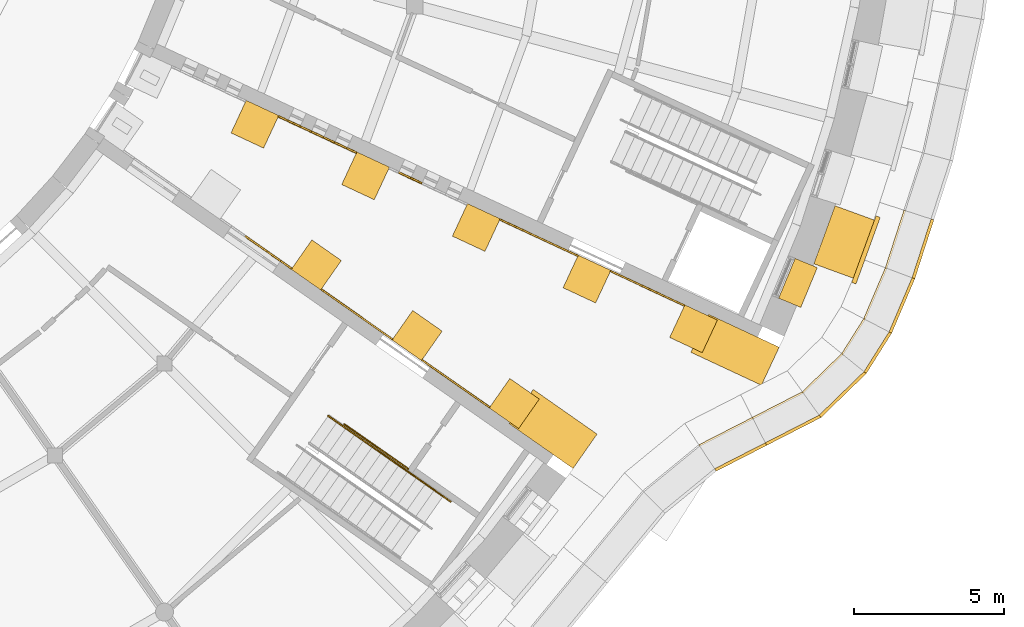
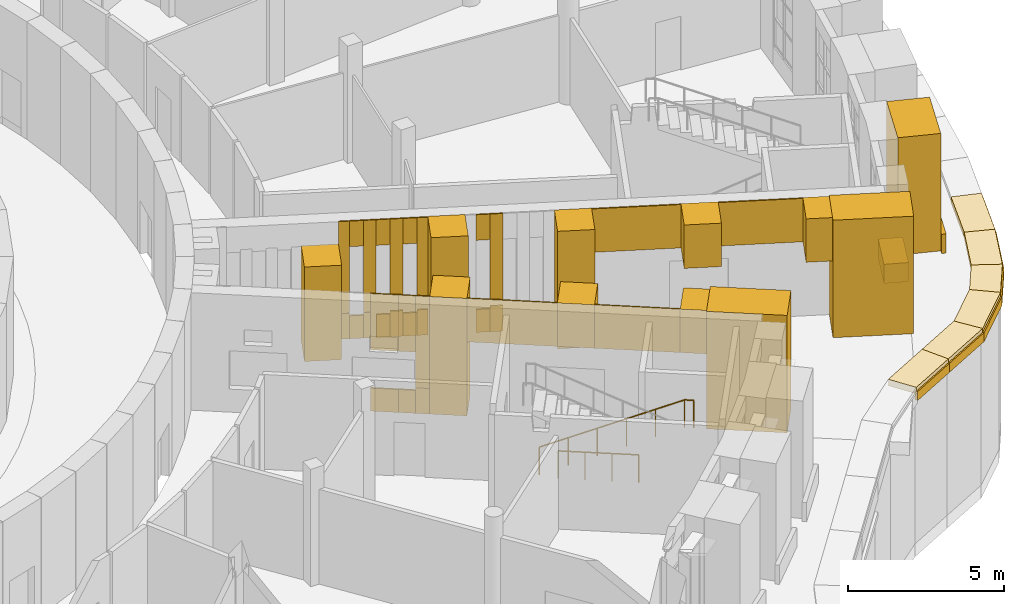
# One storey, part 72 of 85: 53 coverings, 2 railings.
"""IFC4 building model written with IfcOpenShell, lengths in metres."""

from ifc_helpers import new_model, si_unit, direction, frame, origin, origin_2d, place, context, subcontext, project, spatial, polyline, rectangle, circle, outline, extrude, material, layer, layer_set, type_object, element, save


model = new_model("IFC4")

# Units and contexts
model_context = context("Model", 3, precision=1e-05, world=origin(), true_north=direction((0.0, 1.0)))
body_context = subcontext(model_context, "Body", "Model", "MODEL_VIEW")
ifc_project = project(units=[si_unit("LENGTHUNIT", "METRE"), si_unit("AREAUNIT", "SQUARE_METRE"), si_unit("VOLUMEUNIT", "CUBIC_METRE"), si_unit("PLANEANGLEUNIT", "RADIAN"), si_unit("MASSUNIT", "GRAM", prefix="KILO")], contexts=[model_context])

# Site, building, storey
site_placement = place(None, origin())
site = spatial("IfcSite", under=ifc_project, at=site_placement, CompositionType="ELEMENT")
building_placement = place(site_placement, origin())
building = spatial("IfcBuilding", under=site, at=building_placement, Name="Volute Hill Aquarium", CompositionType="ELEMENT")
storey_placement = place(building_placement, origin())
storey = spatial("IfcBuildingStorey", under=building, at=storey_placement, Name="L01", CompositionType="ELEMENT", Elevation=0.0)

# Coverings
ifc_material_1 = material(Name="Blue limestone", Category="masonry")
covering_type_1 = type_object("IfcCoveringType", Name="Bluestone plinth block 275x750", PredefinedType="CLADDING", material=ifc_material_1)
covering_1_placement = place(storey_placement, frame((40.511962890625, -16.67236328125, 0.0), z_axis=(0.0, 0.0, 1.0), x_axis=(0.382695820162, 0.923874401221, 0.0)))
element("IfcCovering", 1, at=covering_1_placement, inside=storey, type_object=covering_type_1, Name="Bluestone plinth BPN S4 L01 1", PredefinedType="CLADDING", context=body_context, shape_type="SweptSolid", body=[
    extrude(rectangle(XDim=1.437255859375, YDim=0.800048828125, at=origin_2d()), origin(), (0.0, 0.0, 1.0), 0.75),
])
ifc_material_2 = material(Name="Blue limestone", Category="masonry")
ifc_layer_1 = layer(ifc_material_2, 0.14990234375)
ifc_layer_set_1 = layer_set([ifc_layer_1], Name="Bluestone plinth plate 150x750")
covering_type_2 = type_object("IfcCoveringType", Name="Bluestone plinth plate 150x750", PredefinedType="CLADDING", material=ifc_layer_set_1)
covering_2_placement = place(storey_placement, frame((42.781494140625, -15.5712890625, 0.0), z_axis=(0.0, 0.0, 1.0), x_axis=(0.342020143326, 0.939692620786, 0.0)))
element("IfcCovering", 2, at=covering_2_placement, inside=storey, type_object=covering_type_2, Name="Bluestone plinth BP S4 L01 1", PredefinedType="CLADDING", context=body_context, shape_type="SweptSolid", body=[
    extrude(rectangle(XDim=2.362060546875, YDim=0.14990234375, at=origin_2d()), origin(), (0.0, 0.0, 1.0), 0.75),
])
ifc_material_3 = material(Name="Blue limestone", Category="masonry")
ifc_layer_2 = layer(ifc_material_3, 0.06005859375)
ifc_layer_set_2 = layer_set([ifc_layer_2], Name="End wall plinth blue limestone 60")
covering_type_3 = type_object("IfcCoveringType", Name="End wall plinth blue limestone 60", PredefinedType="CLADDING", material=ifc_layer_set_2)
covering_3_placement = place(storey_placement, frame((22.04052734375, -15.127685546875, 0.0), z_axis=(-0.573589807488, -0.819142681555, 0.0), x_axis=(0.819142681555, -0.573589807488, 0.0)))
element("IfcCovering", 3, at=covering_3_placement, inside=storey, type_object=covering_type_3, Name="End wall plinth EWL S3B L01 2", PredefinedType="CLADDING", context=body_context, shape_type="SweptSolid", body=[
    extrude(outline(polyline([(0.0, 0.0), (0.8997950704701132, 0.0), (0.8997950704701132, 0.89990234375), (0.0, 0.89990234375), (0.0, 0.0)])), origin(), (0.0, 0.0, -1.0), 0.06005859375),
])
covering_4_placement = place(storey_placement, frame((22.777587890625, -15.643798828125, 0.0), z_axis=(-0.573580694562, -0.819149062641, 0.0), x_axis=(0.819149062641, -0.573580694562, 0.0)))
element("IfcCovering", 4, at=covering_4_placement, inside=storey, type_object=covering_type_3, Name="End wall plinth EWL S3B L01 2", PredefinedType="CLADDING", context=body_context, shape_type="SweptSolid", body=[
    extrude(outline(polyline([(0.0, 0.0), (0.5537615825225353, 0.0), (0.5537615825225353, 0.89990234375), (0.0, 0.89990234375), (0.0, 0.0)])), origin(), (0.0, 0.0, -1.0), 0.06005859375),
])
covering_5_placement = place(storey_placement, frame((23.23095703125, -15.96142578125, 0.0), z_axis=(-0.573826293727, -0.81897703547, 0.0), x_axis=(0.81897703547, -0.573826293727, 0.0)))
element("IfcCovering", 5, at=covering_5_placement, inside=storey, type_object=covering_type_3, Name="End wall plinth EWL S3B L01 2", PredefinedType="CLADDING", context=body_context, shape_type="SweptSolid", body=[
    extrude(outline(polyline([(0.0, 0.0), (0.4501375835749871, 0.0), (0.4501375835749871, 1.0), (0.0, 1.0), (0.0, 0.0)])), origin(), (0.0, 0.0, -1.0), 0.06005859375),
])
covering_6_placement = place(storey_placement, frame((23.157470703125, -11.140380859375, 0.0), z_axis=(-0.422503748493, -0.906361176634, 0.0), x_axis=(0.906361176634, -0.422503748493, 0.0)))
element("IfcCovering", 6, at=covering_6_placement, inside=storey, type_object=covering_type_3, Name="End wall plinth EWL S4A L01 2", PredefinedType="CLADDING", context=body_context, shape_type="SweptSolid", body=[
    extrude(outline(polyline([(0.0, 0.0), (0.35017255888939314, 0.0), (0.35017255888939314, 1.0), (0.0, 1.0), (0.0, 0.0)])), origin(), (0.0, 0.0, -1.0), 0.06005859375),
])
covering_7_placement = place(storey_placement, frame((23.474853515625, -11.288330078125, 0.0), z_axis=(-0.422736919649, -0.906252446488, 0.0), x_axis=(0.906252446488, -0.422736919649, 0.0)))
element("IfcCovering", 7, at=covering_7_placement, inside=storey, type_object=covering_type_3, Name="End wall plinth EWL S4A L01 2", PredefinedType="CLADDING", context=body_context, shape_type="SweptSolid", body=[
    extrude(outline(polyline([(0.0, 0.0), (0.4498910268656508, 0.0), (0.4498910268656508, 0.89990234375), (0.0, 0.89990234375), (0.0, 0.0)])), origin(), (0.0, 0.0, -1.0), 0.06005859375),
])
covering_8_placement = place(storey_placement, frame((23.882568359375, -11.478515625, 0.0), z_axis=(-0.422691273525, -0.906273737502, 0.0), x_axis=(0.906273737502, -0.422691273525, 0.0)))
element("IfcCovering", 8, at=covering_8_placement, inside=storey, type_object=covering_type_3, Name="End wall plinth EWL S4A L01 2", PredefinedType="CLADDING", context=body_context, shape_type="SweptSolid", body=[
    extrude(outline(polyline([(0.0, 0.0), (0.4129740967189735, 0.0), (0.4129740967189735, 1.0), (0.0, 1.0), (0.0, 0.0)])), origin(), (0.0, 0.0, -1.0), 0.06005859375),
])
covering_9_placement = place(storey_placement, frame((24.2568359375, -11.653076171875, 0.0), z_axis=(-0.422736919649, -0.906252446488, 0.0), x_axis=(0.906252446488, -0.422736919649, 0.0)))
element("IfcCovering", 9, at=covering_9_placement, inside=storey, type_object=covering_type_3, Name="End wall plinth EWL S4A L01 2", PredefinedType="CLADDING", context=body_context, shape_type="SweptSolid", body=[
    extrude(outline(polyline([(0.0, 0.0), (0.4498910268656508, 0.0), (0.4498910268656508, 0.89990234375), (0.0, 0.89990234375), (0.0, 0.0)])), origin(), (0.0, 0.0, -1.0), 0.06005859375),
])
covering_10_placement = place(storey_placement, frame((24.66455078125, -11.84326171875, 0.0), z_axis=(-0.42220553922, -0.906500128324, 0.0), x_axis=(0.906500128324, -0.42220553922, 0.0)))
element("IfcCovering", 10, at=covering_10_placement, inside=storey, type_object=covering_type_3, Name="End wall plinth EWL S4A L01 2", PredefinedType="CLADDING", context=body_context, shape_type="SweptSolid", body=[
    extrude(outline(polyline([(0.0, 0.0), (0.4128709598936065, 0.0), (0.4128709598936065, 1.0), (0.0, 1.0), (0.0, 0.0)])), origin(), (0.0, 0.0, -1.0), 0.06005859375),
])
covering_11_placement = place(storey_placement, frame((25.038818359375, -12.017578125, 0.0), z_axis=(-0.422736919649, -0.906252446488, 0.0), x_axis=(0.906252446488, -0.422736919649, 0.0)))
element("IfcCovering", 11, at=covering_11_placement, inside=storey, type_object=covering_type_3, Name="End wall plinth EWL S4A L01 2", PredefinedType="CLADDING", context=body_context, shape_type="SweptSolid", body=[
    extrude(outline(polyline([(0.0, 0.0), (0.4498910268656508, 0.0), (0.4498910268656508, 0.89990234375), (0.0, 0.89990234375), (0.0, 0.0)])), origin(), (0.0, 0.0, -1.0), 0.06005859375),
])
covering_12_placement = place(storey_placement, frame((25.446533203125, -12.207763671875, 0.0), z_axis=(-0.423076239386, -0.906094087646, 0.0), x_axis=(0.906094087646, -0.423076239386, 0.0)))
element("IfcCovering", 12, at=covering_12_placement, inside=storey, type_object=covering_type_3, Name="End wall plinth EWL S4A L01 2", PredefinedType="CLADDING", context=body_context, shape_type="SweptSolid", body=[
    extrude(outline(polyline([(0.0, 0.0), (0.3502757791130555, 0.0), (0.3502757791130555, 1.0), (0.0, 1.0), (0.0, 0.0)])), origin(), (0.0, 0.0, -1.0), 0.06005859375),
])
covering_13_placement = place(storey_placement, frame((27.1689453125, -13.010986328125, 0.0), z_axis=(-0.422736919649, -0.906252446488, 0.0), x_axis=(0.906252446488, -0.422736919649, 0.0)))
element("IfcCovering", 13, at=covering_13_placement, inside=storey, type_object=covering_type_3, Name="End wall plinth EWL S4A L01 3", PredefinedType="CLADDING", context=body_context, shape_type="SweptSolid", body=[
    extrude(outline(polyline([(0.0, 0.0), (0.4498910268656508, 0.0), (0.4498910268656508, 0.89990234375), (0.0, 0.89990234375), (0.0, 0.0)])), origin(), (0.0, 0.0, -1.0), 0.06005859375),
])
covering_14_placement = place(storey_placement, frame((27.57666015625, -13.201171875, 0.0), z_axis=(-0.422691273525, -0.906273737502, 0.0), x_axis=(0.906273737502, -0.422691273525, 0.0)))
element("IfcCovering", 14, at=covering_14_placement, inside=storey, type_object=covering_type_3, Name="End wall plinth EWL S4A L01 3", PredefinedType="CLADDING", context=body_context, shape_type="SweptSolid", body=[
    extrude(outline(polyline([(0.0, 0.0), (0.4129740967189735, 0.0), (0.4129740967189735, 1.0), (0.0, 1.0), (0.0, 0.0)])), origin(), (0.0, 0.0, -1.0), 0.06005859375),
])
ifc_material_4 = material(Name="Precast concrete C40/50", Category="concrete")
covering_type_4 = type_object("IfcCoveringType", Name="End wall precast fin C40/50 1200x1200", PredefinedType="CLADDING", material=ifc_material_4)
covering_15_placement = place(storey_placement, frame((24.435302734375, -16.072265625, 0.0), z_axis=(0.0, 0.0, 1.0), x_axis=(0.81915068408, -0.573578378926, 0.0)))
element("IfcCovering", 15, at=covering_15_placement, inside=storey, type_object=covering_type_4, Name="End wall fin EWF S3B L01 3", PredefinedType="CLADDING", context=body_context, shape_type="SweptSolid", body=[
    extrude(rectangle(XDim=1.199951171875, YDim=1.199951171875, at=origin_2d()), origin(), (0.0, 0.0, 1.0), 4.60009765625),
])
for number, where, z_axis, x_axis, name in (
    (16, (27.800048828125, -18.42822265625, 2.89990234375), (0.0, 0.0, 1.0), (0.81915068408, -0.573578378926, 0.0), "End wall fin EWF S3B L01 4"),
    (17, (31.041748046875, -20.697998046875, 2.89990234375), (0.0, 0.0, 1.0), (0.81915068408, -0.573578378926, 0.0), "End wall fin EWF S3B L01 5"),
):
    element("IfcCovering", number, at=place(storey_placement, frame(where, z_axis=z_axis, x_axis=x_axis)), inside=storey, type_object=covering_type_4, Name=name, PredefinedType="CLADDING", context=body_context, shape_type="SweptSolid", body=[
        extrude(rectangle(XDim=1.199951171875, YDim=1.199951171875, at=origin_2d()), origin(), (0.0, 0.0, 1.0), 1.699951171875),
    ])
covering_16_placement = place(storey_placement, frame((22.385498046875, -11.376220703125, 0.0), z_axis=(0.0, 0.0, 1.0), x_axis=(0.906306960471, -0.422620034311, 0.0)))
element("IfcCovering", 18, at=covering_16_placement, inside=storey, type_object=covering_type_4, Name="End wall fin EWF S4A L01 2", PredefinedType="CLADDING", context=body_context, shape_type="SweptSolid", body=[
    extrude(rectangle(XDim=1.199951171875, YDim=1.199951171875, at=origin_2d()), origin(), (0.0, 0.0, 1.0), 3.699951171875),
])
for number, where, z_axis, x_axis, name in (
    (19, (26.07958984375, -13.098876953125, 0.0), (0.0, 0.0, 1.0), (0.906306960471, -0.422620034311, 0.0), "End wall fin EWF S4A L01 3"),
    (20, (29.773681640625, -14.821533203125, 0.0), (0.0, 0.0, 1.0), (0.906306960471, -0.422620034311, 0.0), "End wall fin EWF S4A L01 4"),
):
    element("IfcCovering", number, at=place(storey_placement, frame(where, z_axis=z_axis, x_axis=x_axis)), inside=storey, type_object=covering_type_4, Name=name, PredefinedType="CLADDING", context=body_context, shape_type="SweptSolid", body=[
        extrude(rectangle(XDim=1.199951171875, YDim=1.199951171875, at=origin_2d()), origin(), (0.0, 0.0, 1.0), 4.60009765625),
    ])
for number, where, z_axis, x_axis, name in (
    (21, (33.4677734375, -16.544189453125, 2.89990234375), (0.0, 0.0, 1.0), (0.906306960471, -0.422620034311, 0.0), "End wall fin EWF S4A L01 5"),
    (22, (37.02587890625, -18.203369140625, 2.89990234375), (0.0, 0.0, 1.0), (0.906306960471, -0.422620034311, 0.0), "End wall fin EWF S4A L01 6"),
):
    element("IfcCovering", number, at=place(storey_placement, frame(where, z_axis=z_axis, x_axis=x_axis)), inside=storey, type_object=covering_type_4, Name=name, PredefinedType="CLADDING", context=body_context, shape_type="SweptSolid", body=[
        extrude(rectangle(XDim=1.199951171875, YDim=1.199951171875, at=origin_2d()), origin(), (0.0, 0.0, 1.0), 1.699951171875),
    ])
ifc_material_5 = material(Name="Precast concrete C40/50", Category="concrete")
ifc_layer_3 = layer(ifc_material_5, 0.050048828125)
ifc_layer_set_3 = layer_set([ifc_layer_3], Name="End wall precast infill panel C40/50 50")
covering_type_5 = type_object("IfcCoveringType", Name="End wall precast infill panel C40/50 50", PredefinedType="CLADDING", material=ifc_layer_set_3)
covering_17_placement = place(storey_placement, frame((22.040283203125, -15.127685546875, 2.39990234375), z_axis=(-0.573462344363, -0.819231920519, 0.0), x_axis=(0.819231920519, -0.573462344363, 0.0)))
element("IfcCovering", 23, at=covering_17_placement, inside=storey, type_object=covering_type_5, Name="End wall panel EWP S3B L01 2", PredefinedType="CLADDING", context=body_context, shape_type="SweptSolid", body=[
    extrude(outline(polyline([(0.0, 0.0), (0.8999950673709908, 0.0), (0.8999950673709908, 2.2001953125), (0.0, 2.2001953125), (0.0, 0.0)])), origin(), (0.0, 0.0, -1.0), 0.050048828125),
])
covering_18_placement = place(storey_placement, frame((22.777587890625, -15.643798828125, 2.39990234375), z_axis=(-0.573787896152, -0.819003937859, 0.0), x_axis=(0.819003937859, -0.573787896152, 0.0)))
element("IfcCovering", 24, at=covering_18_placement, inside=storey, type_object=covering_type_5, Name="End wall panel EWP S3B L01 2", PredefinedType="CLADDING", context=body_context, shape_type="SweptSolid", body=[
    extrude(outline(polyline([(0.0, 0.0), (0.5535616126706421, 0.0), (0.5535616126706421, 2.2001953125), (0.0, 2.2001953125), (0.0, 0.0)])), origin(), (0.0, 0.0, -1.0), 0.050048828125),
])
covering_19_placement = place(storey_placement, frame((23.23095703125, -15.96142578125, 1.0), z_axis=(-0.573462344363, -0.819231920519, 0.0), x_axis=(0.819231920519, -0.573462344363, 0.0)))
element("IfcCovering", 25, at=covering_19_placement, inside=storey, type_object=covering_type_5, Name="End wall panel EWP S3B L01 2", PredefinedType="CLADDING", context=body_context, shape_type="SweptSolid", body=[
    extrude(outline(polyline([(0.0, 0.0), (0.4499975336854954, 0.0), (0.4499975336854954, 3.60009765625), (0.0, 3.60009765625), (0.0, 0.0)])), origin(), (0.0, 0.0, -1.0), 0.050048828125),
])
covering_20_placement = place(storey_placement, frame((24.582763671875, -16.907958984375, 2.89990234375), z_axis=(-0.573546879551, -0.819172739388, 0.0), x_axis=(0.819172739388, -0.573546879551, 0.0)))
element("IfcCovering", 26, at=covering_20_placement, inside=storey, type_object=covering_type_5, Name="End wall panel EWP S3B L01 3", PredefinedType="CLADDING", context=body_context, shape_type="SweptSolid", body=[
    extrude(outline(polyline([(0.0, 0.0), (2.9073132959151495, 0.0), (2.9073132959151495, 1.7001953125), (0.0, 1.7001953125), (0.0, 0.0)])), origin(), (0.0, 0.0, -1.0), 0.050048828125),
])
covering_21_placement = place(storey_placement, frame((27.947265625, -19.263916015625, 2.89990234375), z_axis=(-0.573557416232, -0.819165361991, 0.0), x_axis=(0.819165361991, -0.573557416232, 0.0)))
element("IfcCovering", 27, at=covering_21_placement, inside=storey, type_object=covering_type_5, Name="End wall panel EWP S3B L01 4", PredefinedType="CLADDING", context=body_context, shape_type="SweptSolid", body=[
    extrude(outline(polyline([(0.0, 0.0), (2.7574274588594703, 0.0), (2.7574274588594703, 1.7001953125), (0.0, 1.7001953125), (0.0, 0.0)])), origin(), (0.0, 0.0, -1.0), 0.050048828125),
])
covering_22_placement = place(storey_placement, frame((23.16162109375, -11.131591796875, 1.0), z_axis=(-0.422503748493, -0.906361176634, 0.0), x_axis=(0.906361176634, -0.422503748493, 0.0)))
element("IfcCovering", 28, at=covering_22_placement, inside=storey, type_object=covering_type_5, Name="End wall panel EWP S4A L01 2", PredefinedType="CLADDING", context=body_context, shape_type="SweptSolid", body=[
    extrude(outline(polyline([(0.0, 0.0), (0.35017255888939314, 0.0), (0.35017255888939314, 3.60009765625), (0.0, 3.60009765625), (0.0, 0.0)])), origin(), (0.0, 0.0, -1.0), 0.050048828125),
])
covering_23_placement = place(storey_placement, frame((23.47900390625, -11.279541015625, 3.60009765625), z_axis=(-0.422529111883, -0.90634935296, 0.0), x_axis=(0.90634935296, -0.422529111883, 0.0)))
element("IfcCovering", 29, at=covering_23_placement, inside=storey, type_object=covering_type_5, Name="End wall panel EWP S4A L01 2", PredefinedType="CLADDING", context=body_context, shape_type="SweptSolid", body=[
    extrude(outline(polyline([(0.0, 0.0), (0.4501122917366558, 0.0), (0.4501122917366558, 1.0), (0.0, 1.0), (0.0, 0.0)])), origin(), (0.0, 0.0, -1.0), 0.050048828125),
])
covering_24_placement = place(storey_placement, frame((23.886962890625, -11.4697265625, 1.0), z_axis=(-0.422431964594, -0.906394635515, 0.0), x_axis=(0.906394635515, -0.422431964594, 0.0)))
element("IfcCovering", 30, at=covering_24_placement, inside=storey, type_object=covering_type_5, Name="End wall panel EWP S4A L01 2", PredefinedType="CLADDING", context=body_context, shape_type="SweptSolid", body=[
    extrude(outline(polyline([(0.0, 0.0), (0.4126496592598029, 0.0), (0.4126496592598029, 3.60009765625), (0.0, 3.60009765625), (0.0, 0.0)])), origin(), (0.0, 0.0, -1.0), 0.050048828125),
])
covering_25_placement = place(storey_placement, frame((24.260986328125, -11.64404296875, 3.60009765625), z_axis=(-0.422529111883, -0.90634935296, 0.0), x_axis=(0.90634935296, -0.422529111883, 0.0)))
element("IfcCovering", 31, at=covering_25_placement, inside=storey, type_object=covering_type_5, Name="End wall panel EWP S4A L01 2", PredefinedType="CLADDING", context=body_context, shape_type="SweptSolid", body=[
    extrude(outline(polyline([(0.0, 0.0), (0.4501122917366558, 0.0), (0.4501122917366558, 1.0), (0.0, 1.0), (0.0, 0.0)])), origin(), (0.0, 0.0, -1.0), 0.050048828125),
])
covering_26_placement = place(storey_placement, frame((24.6689453125, -11.834228515625, 1.0), z_axis=(-0.422917846092, -0.906168028269, 0.0), x_axis=(0.906168028269, -0.422917846092, 0.0)))
element("IfcCovering", 32, at=covering_26_placement, inside=storey, type_object=covering_type_5, Name="End wall panel EWP S4A L01 2", PredefinedType="CLADDING", context=body_context, shape_type="SweptSolid", body=[
    extrude(outline(polyline([(0.0, 0.0), (0.41275285138278023, 0.0), (0.41275285138278023, 3.60009765625), (0.0, 3.60009765625), (0.0, 0.0)])), origin(), (0.0, 0.0, -1.0), 0.050048828125),
])
covering_27_placement = place(storey_placement, frame((25.04296875, -12.0087890625, 3.60009765625), z_axis=(-0.422529111883, -0.90634935296, 0.0), x_axis=(0.90634935296, -0.422529111883, 0.0)))
element("IfcCovering", 33, at=covering_27_placement, inside=storey, type_object=covering_type_5, Name="End wall panel EWP S4A L01 2", PredefinedType="CLADDING", context=body_context, shape_type="SweptSolid", body=[
    extrude(outline(polyline([(0.0, 0.0), (0.4501122917366558, 0.0), (0.4501122917366558, 1.0), (0.0, 1.0), (0.0, 0.0)])), origin(), (0.0, 0.0, -1.0), 0.050048828125),
])
covering_28_placement = place(storey_placement, frame((25.450927734375, -12.198974609375, 1.0), z_axis=(-0.422503748493, -0.906361176634, 0.0), x_axis=(0.906361176634, -0.422503748493, 0.0)))
element("IfcCovering", 34, at=covering_28_placement, inside=storey, type_object=covering_type_5, Name="End wall panel EWP S4A L01 2", PredefinedType="CLADDING", context=body_context, shape_type="SweptSolid", body=[
    extrude(outline(polyline([(0.0, 0.0), (0.35017255888939314, 0.0), (0.35017255888939314, 3.60009765625), (0.0, 3.60009765625), (0.0, 0.0)])), origin(), (0.0, 0.0, -1.0), 0.050048828125),
])
covering_29_placement = place(storey_placement, frame((27.17333984375, -13.002197265625, 3.60009765625), z_axis=(-0.422736919649, -0.906252446488, 0.0), x_axis=(0.906252446488, -0.422736919649, 0.0)))
element("IfcCovering", 35, at=covering_29_placement, inside=storey, type_object=covering_type_5, Name="End wall panel EWP S4A L01 3", PredefinedType="CLADDING", context=body_context, shape_type="SweptSolid", body=[
    extrude(outline(polyline([(0.0, 0.0), (0.4498910268656508, 0.0), (0.4498910268656508, 1.0), (0.0, 1.0), (0.0, 0.0)])), origin(), (0.0, 0.0, -1.0), 0.050048828125),
])
covering_30_placement = place(storey_placement, frame((27.5810546875, -13.1923828125, 1.0), z_axis=(-0.422431964594, -0.906394635515, 0.0), x_axis=(0.906394635515, -0.422431964594, 0.0)))
element("IfcCovering", 36, at=covering_30_placement, inside=storey, type_object=covering_type_5, Name="End wall panel EWP S4A L01 3", PredefinedType="CLADDING", context=body_context, shape_type="SweptSolid", body=[
    extrude(outline(polyline([(0.0, 0.0), (0.4126496592598029, 0.0), (0.4126496592598029, 3.60009765625), (0.0, 3.60009765625), (0.0, 0.0)])), origin(), (0.0, 0.0, -1.0), 0.050048828125),
])
covering_31_placement = place(storey_placement, frame((30.550048828125, -14.57666015625, 2.89990234375), z_axis=(-0.42266703184, -0.906285043568, 0.0), x_axis=(0.906285043568, -0.42266703184, 0.0)))
element("IfcCovering", 37, at=covering_31_placement, inside=storey, type_object=covering_type_5, Name="End wall panel EWP S4A L01 4", PredefinedType="CLADDING", context=body_context, shape_type="SweptSolid", body=[
    extrude(outline(polyline([(0.0, 0.0), (2.875966376139245, 0.0), (2.875966376139245, 1.7001953125), (0.0, 1.7001953125), (0.0, 0.0)])), origin(), (0.0, 0.0, -1.0), 0.050048828125),
])
covering_32_placement = place(storey_placement, frame((34.244140625, -16.29931640625, 2.89990234375), z_axis=(-0.422650101756, -0.906292939113, 0.0), x_axis=(0.906292939113, -0.422650101756, 0.0)))
element("IfcCovering", 38, at=covering_32_placement, inside=storey, type_object=covering_type_5, Name="End wall panel EWP S4A L01 5", PredefinedType="CLADDING", context=body_context, shape_type="SweptSolid", body=[
    extrude(outline(polyline([(0.0, 0.0), (2.7258945510421317, 0.0), (2.7258945510421317, 1.7001953125000004), (0.0, 1.7001953125000004), (0.0, 0.0)])), origin(), (0.0, 0.0, -1.0), 0.050048828125),
])

# Railings
ifc_material_6 = material(Name="Stainless steel 1.4301", Category="steel")
railing_type = type_object("IfcRailingType", Name="Guard 1100 stainless", PredefinedType="GUARDRAIL", material=ifc_material_6)
railing_1_placement = place(storey_placement, frame((27.499267578125, -22.880859375, 0.0)))
element("IfcRailing", 39, at=railing_1_placement, inside=storey, type_object=railing_type, Name="gd/S3-B/L01/edge", PredefinedType="GUARDRAIL", context=body_context, shape_type="SweptSolid", body=[
    extrude(circle(Radius=0.02392578125, at=origin_2d()), frame((0.0, 0.0, 1.076171875), z_axis=(-0.819178980414, 0.573537965655, 0.0), x_axis=(-0.573537965655, -0.819178980414, 0.0)), (0.0, 0.0, 1.0), 2.60009765625),
    extrude(circle(Radius=0.02099609375, at=origin_2d()), origin(), (0.0, 0.0, 1.0), 1.052001953125),
    extrude(circle(Radius=0.02099609375, at=origin_2d()), frame((-0.7099609375, 0.4970703125, 0.0)), (0.0, 0.0, 1.0), 1.052001953125),
    extrude(circle(Radius=0.02099609375, at=origin_2d()), frame((-1.419921875, 0.994140625, 0.0)), (0.0, 0.0, 1.0), 1.052001953125),
    extrude(circle(Radius=0.02099609375, at=origin_2d()), frame((-2.1298828125, 1.4912109375, 0.0)), (0.0, 0.0, 1.0), 1.052001953125),
])
railing_2_placement = place(storey_placement, frame((24.83203125, -21.111083984375, 0.164306640625)))
element("IfcRailing", 40, at=railing_2_placement, inside=storey, type_object=railing_type, Name="gd/S3-B/L01/1", PredefinedType="GUARDRAIL", context=body_context, shape_type="SweptSolid", body=[
    extrude(circle(Radius=0.02392578125, at=origin_2d()), frame((0.0, 0.0, 1.076171875), z_axis=(0.745229941797, -0.521798586898, 0.415160894787), x_axis=(0.57356387087, 0.81916084259, 0.0)), (0.0, 0.0, 1.0), 5.144287109375),
    extrude(circle(Radius=0.02392578125, at=origin_2d()), frame((3.833740234375, -2.684326171875, 3.2119140625), z_axis=(0.819575896246, -0.572970636502, 0.0), x_axis=(0.572970636502, 0.819575896246, 0.0)), (0.0, 0.0, 1.0), 0.300048828125),
    extrude(circle(Radius=0.02099609375, at=origin_2d()), origin(), (0.0, 0.0, 1.0), 1.052001953125),
    extrude(circle(Radius=0.02099609375, at=origin_2d()), frame((0.766845703125, -0.536865234375, 0.42724609375)), (0.0, 0.0, 1.0), 1.052001953125),
    extrude(circle(Radius=0.02099609375, at=origin_2d()), frame((1.533447265625, -1.07373046875, 0.854248046875)), (0.0, 0.0, 1.0), 1.052001953125),
    extrude(circle(Radius=0.02099609375, at=origin_2d()), frame((2.30029296875, -1.610595703125, 1.281494140625)), (0.0, 0.0, 1.0), 1.052001953125),
    extrude(circle(Radius=0.02099609375, at=origin_2d()), frame((3.06689453125, -2.1474609375, 1.70849609375)), (0.0, 0.0, 1.0), 1.052001953125),
    extrude(circle(Radius=0.02099609375, at=origin_2d()), frame((3.833740234375, -2.684326171875, 2.1357421875)), (0.0, 0.0, 1.0), 1.052001953125),
    extrude(circle(Radius=0.02099609375, at=origin_2d()), frame((4.07958984375, -2.856201171875, 2.1357421875)), (0.0, 0.0, 1.0), 1.052001953125),
])

# Coverings
ifc_material_7 = material(Name="Precast concrete C40/50", Category="concrete")
ifc_layer_4 = layer(ifc_material_7, 0.25)
ifc_layer_set_4 = layer_set([ifc_layer_4], Name="Plinth coping precast concrete C40/50 1000")
covering_type_6 = type_object("IfcCoveringType", Name="Plinth coping precast concrete C40/50 1000", PredefinedType="CLADDING", material=ifc_layer_set_4)
covering_33_placement = place(storey_placement, frame((0.0, 0.0, -0.10009765625)))
element("IfcCovering", 41, at=covering_33_placement, inside=storey, type_object=covering_type_6, Name="cp/E41UP/L01/0", PredefinedType="CLADDING", context=body_context, shape_type="SweptSolid", body=[
    extrude(outline(polyline([(37.7548828125, -22.915283203125), (39.443603515625, -22.05029296875), (38.98779296875, -21.160400390625), (37.20361328125, -22.07421875), (37.7548828125, -22.915283203125), (37.7548828125, -22.915283203125)])), origin(), (0.0, 0.0, 1.0), 0.25),
])
covering_34_placement = place(storey_placement, frame((0.0, 0.0, -0.10009765625)))
element("IfcCovering", 42, at=covering_34_placement, inside=storey, type_object=covering_type_6, Name="cp/E41UP/L01/1", PredefinedType="CLADDING", context=body_context, shape_type="SweptSolid", body=[
    extrude(outline(polyline([(41.24658203125, -21.126708984375), (41.24658203125, -21.126708984375), (40.657470703125, -20.304931640625), (40.657470703125, -20.304931640625), (38.98779296875, -21.160400390625), (39.443603515625, -22.05029296875), (41.24658203125, -21.126708984375)])), origin(), (0.0, 0.0, 1.0), 0.25),
])
covering_35_placement = place(storey_placement, frame((0.0, 0.0, -0.10009765625)))
element("IfcCovering", 43, at=covering_35_placement, inside=storey, type_object=covering_type_6, Name="cp/E42UP/L01/0", PredefinedType="CLADDING", context=body_context, shape_type="SweptSolid", body=[
    extrude(outline(polyline([(41.24658203125, -21.126708984375), (42.75244140625, -19.66455078125), (41.97021484375, -19.0302734375), (40.657470703125, -20.304931640625), (41.24658203125, -21.126708984375)])), origin(), (0.0, 0.0, 1.0), 0.25),
])
covering_36_placement = place(storey_placement, frame((0.0, 0.0, -0.10009765625)))
element("IfcCovering", 44, at=covering_36_placement, inside=storey, type_object=covering_type_6, Name="cp/E43UP/L01/0", PredefinedType="CLADDING", context=body_context, shape_type="SweptSolid", body=[
    extrude(outline(polyline([(43.59326171875, -18.33056640625), (43.59326171875, -18.33056640625), (42.70458984375, -17.865478515625), (41.97021484375, -19.0302734375), (41.97021484375, -19.0302734375), (42.75244140625, -19.66455078125), (42.75244140625, -19.66455078125), (43.59326171875, -18.33056640625)])), origin(), (0.0, 0.0, 1.0), 0.25),
])
covering_37_placement = place(storey_placement, frame((0.0, 0.0, -0.10009765625)))
element("IfcCovering", 45, at=covering_37_placement, inside=storey, type_object=covering_type_6, Name="cp/E44UP/L01/0", PredefinedType="CLADDING", context=body_context, shape_type="SweptSolid", body=[
    extrude(outline(polyline([(43.59326171875, -18.33056640625), (44.364501953125, -16.516357421875), (43.426513671875, -16.166259765625), (42.70458984375, -17.865478515625), (42.70458984375, -17.865478515625), (43.59326171875, -18.33056640625)])), origin(), (0.0, 0.0, 1.0), 0.25),
])
covering_38_placement = place(storey_placement, frame((0.0, 0.0, -0.10009765625)))
element("IfcCovering", 46, at=covering_38_placement, inside=storey, type_object=covering_type_6, Name="cp/E45UP/L01/0", PredefinedType="CLADDING", context=body_context, shape_type="SweptSolid", body=[
    extrude(outline(polyline([(44.364501953125, -16.516357421875), (44.999267578125, -14.552978515625), (44.0478515625, -14.2451171875), (43.426513671875, -16.166259765625), (43.426513671875, -16.166259765625), (44.364501953125, -16.516357421875), (44.364501953125, -16.516357421875)])), origin(), (0.0, 0.0, 1.0), 0.25),
])
ifc_material_8 = material(Name="Precast concrete C40/50", Category="concrete")
covering_type_7 = type_object("IfcCoveringType", Name="Projecting pier precast concrete C40/50 2062x1400", PredefinedType="CLADDING", material=ifc_material_8)
covering_39_placement = place(storey_placement, frame((42.05322265625, -15.30615234375, 0.0), z_axis=(0.0, 0.0, 1.0), x_axis=(0.342020143326, 0.939692620786, 0.0)))
element("IfcCovering", 47, at=covering_39_placement, inside=storey, type_object=covering_type_7, Name="Projecting pier PP S4 L01 1", PredefinedType="CLADDING", context=body_context, shape_type="SweptSolid", body=[
    extrude(rectangle(XDim=2.06201171875, YDim=1.39990234375, at=origin_2d()), origin(), (0.0, 0.0, 1.0), 4.60009765625),
])
ifc_material_9 = material(Name="Precast concrete C40/50", Category="concrete")
ifc_layer_5 = layer(ifc_material_9, 0.10009765625)
ifc_layer_set_5 = layer_set([ifc_layer_5], Name="Retained ground face precast concrete C40/50 100")
covering_type_8 = type_object("IfcCoveringType", Name="Retained ground face precast concrete C40/50 100", PredefinedType="CLADDING", material=ifc_layer_set_5)
covering_40_placement = place(storey_placement, frame((0.0, 0.0, -0.35009765625)))
element("IfcCovering", 48, at=covering_40_placement, inside=storey, type_object=covering_type_8, Name="tg/E41UP/L01/0", PredefinedType="CLADDING", context=body_context, shape_type="SweptSolid", body=[
    extrude(outline(polyline([(37.782470703125, -22.95751953125), (39.46630859375, -22.0947265625), (39.4208984375, -22.005859375), (37.727294921875, -22.873291015625), (37.782470703125, -22.95751953125)])), origin(), (0.0, 0.0, 1.0), 0.35009765625),
])
covering_41_placement = place(storey_placement, frame((0.0, 0.0, -0.35009765625)))
element("IfcCovering", 49, at=covering_41_placement, inside=storey, type_object=covering_type_8, Name="tg/E41UP/L01/1", PredefinedType="CLADDING", context=body_context, shape_type="SweptSolid", body=[
    extrude(outline(polyline([(41.276123046875, -21.167724609375), (41.276123046875, -21.167724609375), (41.21728515625, -21.085693359375), (41.21728515625, -21.085693359375), (39.4208984375, -22.005859375), (39.46630859375, -22.0947265625), (41.276123046875, -21.167724609375)])), origin(), (0.0, 0.0, 1.0), 0.35009765625),
])
covering_42_placement = place(storey_placement, frame((0.0, 0.0, -0.35009765625)))
element("IfcCovering", 50, at=covering_42_placement, inside=storey, type_object=covering_type_8, Name="tg/E42UP/L01/0", PredefinedType="CLADDING", context=body_context, shape_type="SweptSolid", body=[
    extrude(outline(polyline([(41.276123046875, -21.167724609375), (42.79150390625, -19.6962890625), (42.71337890625, -19.6328125), (41.21728515625, -21.085693359375), (41.276123046875, -21.167724609375)])), origin(), (0.0, 0.0, 1.0), 0.35009765625),
])
covering_43_placement = place(storey_placement, frame((0.0, 0.0, -0.35009765625)))
element("IfcCovering", 51, at=covering_43_placement, inside=storey, type_object=covering_type_8, Name="tg/E43UP/L01/0", PredefinedType="CLADDING", context=body_context, shape_type="SweptSolid", body=[
    extrude(outline(polyline([(42.79150390625, -19.6962890625), (43.6376953125, -18.353759765625), (43.548828125, -18.307373046875), (42.71337890625, -19.6328125), (42.71337890625, -19.6328125), (42.79150390625, -19.6962890625), (42.79150390625, -19.6962890625)])), origin(), (0.0, 0.0, 1.0), 0.35009765625),
])
covering_44_placement = place(storey_placement, frame((0.0, 0.0, -0.35009765625)))
element("IfcCovering", 52, at=covering_44_placement, inside=storey, type_object=covering_type_8, Name="tg/E44UP/L01/0", PredefinedType="CLADDING", context=body_context, shape_type="SweptSolid", body=[
    extrude(outline(polyline([(44.411376953125, -16.533935546875), (44.411376953125, -16.533935546875), (44.3173828125, -16.498779296875), (43.548828125, -18.307373046875), (43.6376953125, -18.353759765625), (43.6376953125, -18.353759765625), (44.411376953125, -16.533935546875)])), origin(), (0.0, 0.0, 1.0), 0.35009765625),
])
covering_45_placement = place(storey_placement, frame((0.0, 0.0, -0.35009765625)))
element("IfcCovering", 53, at=covering_45_placement, inside=storey, type_object=covering_type_8, Name="tg/E45UP/L01/0", PredefinedType="CLADDING", context=body_context, shape_type="SweptSolid", body=[
    extrude(outline(polyline([(44.411376953125, -16.533935546875), (45.046875, -14.568359375), (44.95166015625, -14.53759765625), (44.3173828125, -16.498779296875), (44.3173828125, -16.498779296875), (44.411376953125, -16.533935546875)])), origin(), (0.0, 0.0, 1.0), 0.35009765625),
])
ifc_material_10 = material(Name="Precast concrete C40/50", Category="concrete")
covering_type_9 = type_object("IfcCoveringType", Name="Step pylon precast concrete C40/50 1400x2600", PredefinedType="CLADDING", material=ifc_material_10)
for number, where, z_axis, x_axis, name in (
    (54, (32.34033203125, -21.546142578125, 0.0), (0.0, 0.0, 1.0), (0.819152044289, -0.573576436351, 0.0), "Step pylon SPY S3B L01"),
    (55, (38.40966796875, -18.90380859375, 0.0), (0.0, 0.0, 1.0), (0.906307787037, -0.422618261741, 0.0), "Step pylon SPY S4A L01"),
):
    element("IfcCovering", number, at=place(storey_placement, frame(where, z_axis=z_axis, x_axis=x_axis)), inside=storey, type_object=covering_type_9, Name=name, PredefinedType="CLADDING", context=body_context, shape_type="SweptSolid", body=[
        extrude(rectangle(XDim=2.60009765625, YDim=1.39990234375, at=origin_2d()), origin(), (0.0, 0.0, 1.0), 4.60009765625),
    ])

save(model, "model.ifc")
